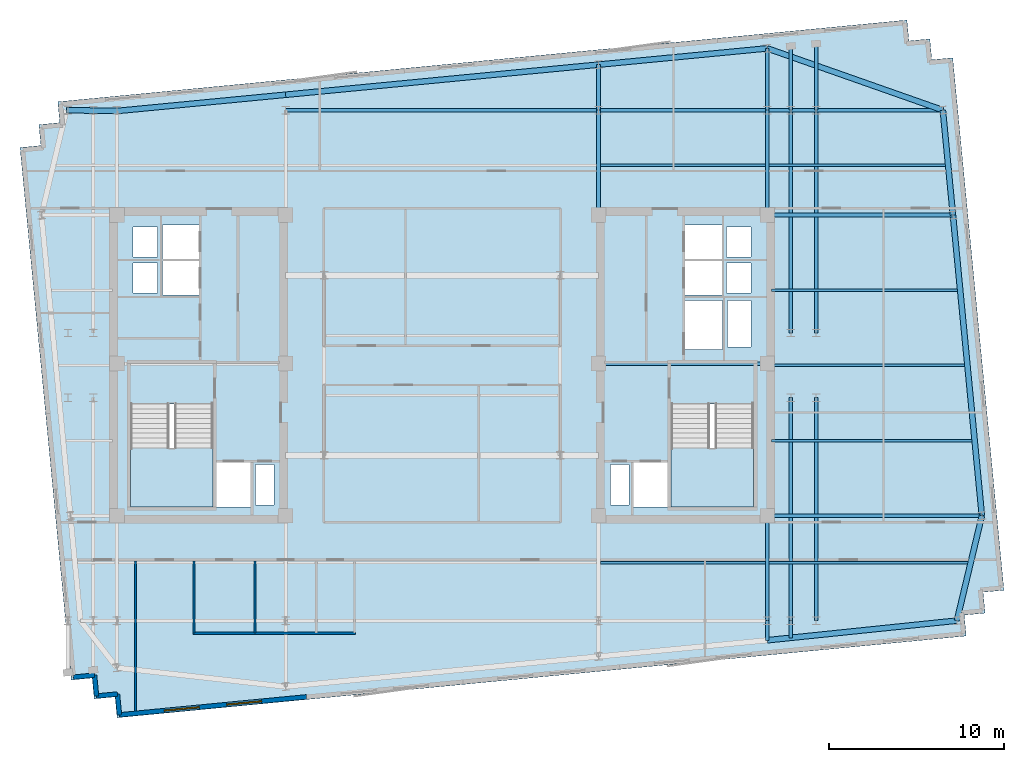
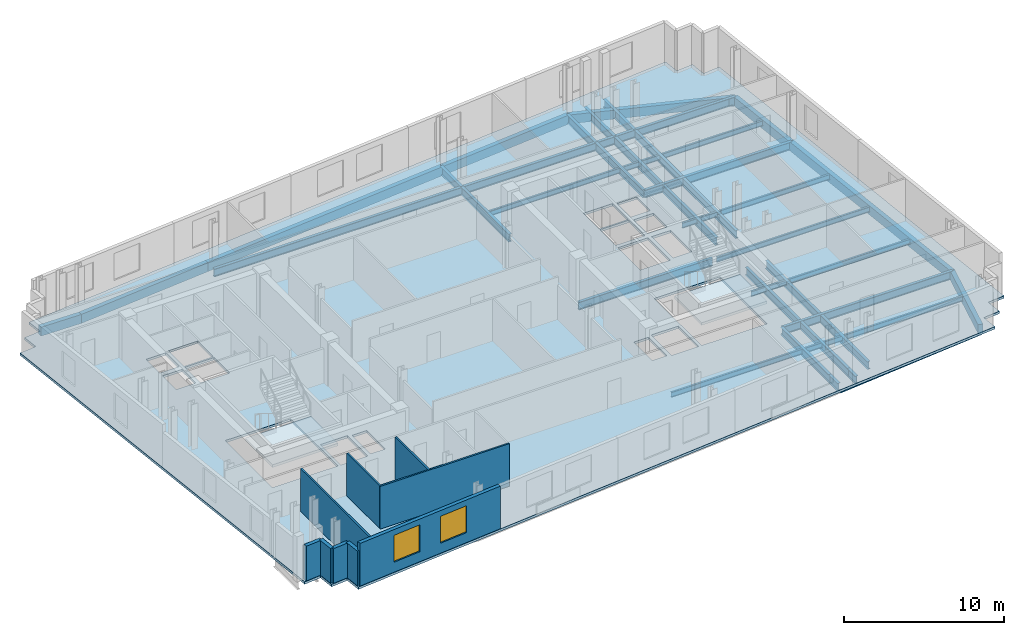
# One storey, part 2 of 8: 35 beams, 9 walls, 3 slabs, 2 windows, 2 openings, 2 elements without a shape of their own.
"""IFC4 building model written with IfcOpenShell, lengths in metres."""

from ifc_helpers import new_model, si_unit, direction, frame, frame_2d, origin, origin_2d, place, context, subcontext, project, spatial, polyline, rectangle, i_section, outline, extrude, material, layer, layer_set, material_profile, profile_set, type_object, element, fill, aggregate, save


model = new_model("IFC4")

# Units and contexts
model_context = context("Model", 3, precision=1e-05, world=origin(), true_north=direction((0.0, 1.0)))
body_context = subcontext(model_context, "Body", "Model", "MODEL_VIEW")
ifc_project = project(units=[si_unit("LENGTHUNIT", "METRE"), si_unit("AREAUNIT", "SQUARE_METRE"), si_unit("VOLUMEUNIT", "CUBIC_METRE"), si_unit("PLANEANGLEUNIT", "RADIAN"), si_unit("MASSUNIT", "GRAM", prefix="KILO")], contexts=[model_context])

# Site, building, storey
site_placement = place(None, origin())
site = spatial("IfcSite", under=ifc_project, at=site_placement, CompositionType="ELEMENT")
building_placement = place(site_placement, origin())
building = spatial("IfcBuilding", under=site, at=building_placement, Name="Velakula Bourse", CompositionType="ELEMENT")
storey_placement = place(building_placement, frame((0.0, 0.0, 258.60009765625)))
storey = spatial("IfcBuildingStorey", under=building, at=storey_placement, Name="L70", CompositionType="ELEMENT", Elevation=258.60009765625)

# Beams
ifc_material_1 = material(Name="Steel IS 2062 Grade 350 (E350)", Category="steel")
ifc_material_profile_1 = material_profile(ifc_material_1, i_section(OverallWidth=0.2099609375, OverallDepth=0.60009765625, WebThickness=0.011962890625, FlangeThickness=0.020751953125, at=origin_2d()), Name="Steel IS 2062 Grade 350 (E350)")
ifc_profile_set_1 = profile_set([ifc_material_profile_1], Name="Steel IS 2062 Grade 350 (E350)")
beam_type_1 = type_object("IfcBeamType", Name="BM-GRD-600L", PredefinedType="BEAM", material=ifc_profile_set_1)
beam_1_placement = place(storey_placement, frame((8.949951171875, 0.10009765625, -0.47998046875), z_axis=(1.0, 0.0, 0.0), x_axis=(0.0, 1.0, 0.0)))
element("IfcBeam", 1, at=beam_1_placement, inside=storey, type_object=beam_type_1, Name="L70 Primary Backbone Girder CRE-M", PredefinedType="BEAM", context=body_context, shape_type="SweptSolid", body=[
    extrude(i_section(OverallWidth=0.2099609375, OverallDepth=0.60009765625, WebThickness=0.011962890625, FlangeThickness=0.020751953125, at=origin_2d()), origin(), (0.0, 0.0, 1.0), 9.650146484375),
])
for number, where, z_axis, x_axis, name in (
    (2, (8.949951171875, 8.60009765625, -0.47998046875), (0.0, 1.0, 0.0), (-1.0, 0.0, 0.0), "L70 Fulcrum Grid Girder FLC-ECN"),
    (3, (18.60009765625, -14.60009765625, -0.47998046875), (0.0, 1.0, 0.0), (-1.0, 0.0, 0.0), "L70 Fulcrum Grid Girder FLC-ES"),
    (4, (18.60009765625, 8.60009765625, -0.47998046875), (0.0, 1.0, 0.0), (-1.0, 0.0, 0.0), "L70 Fulcrum Grid Girder FLC-EN"),
):
    element("IfcBeam", number, at=place(storey_placement, frame(where, z_axis=z_axis, x_axis=x_axis)), inside=storey, type_object=beam_type_1, Name=name, PredefinedType="BEAM", context=body_context, shape_type="SweptSolid", body=[
        extrude(i_section(OverallWidth=0.2099609375, OverallDepth=0.60009765625, WebThickness=0.011962890625, FlangeThickness=0.020751953125, at=origin_2d()), origin(), (0.0, 0.0, 1.0), 6.0),
    ])
beam_2_placement = place(storey_placement, frame((-8.949951171875, 14.60009765625, -0.47998046875), z_axis=(1.0, 0.0, 0.0), x_axis=(0.0, 1.0, 0.0)))
element("IfcBeam", 5, at=beam_2_placement, inside=storey, type_object=beam_type_1, Name="L70 Fulcrum Grid Girder FLC-N2", PredefinedType="BEAM", context=body_context, shape_type="SweptSolid", body=[
    extrude(i_section(OverallWidth=0.2099609375, OverallDepth=0.60009765625, WebThickness=0.011962890625, FlangeThickness=0.020751953125, at=origin_2d()), origin(), (0.0, 0.0, 1.0), 17.89990234375),
])
beam_3_placement = place(storey_placement, frame((8.949951171875, 14.60009765625, -0.47998046875), z_axis=(1.0, 0.0, 0.0), x_axis=(0.0, 1.0, 0.0)))
element("IfcBeam", 6, at=beam_3_placement, inside=storey, type_object=beam_type_1, Name="L70 Fulcrum Grid Girder FLC-N3", PredefinedType="BEAM", context=body_context, shape_type="SweptSolid", body=[
    extrude(i_section(OverallWidth=0.2099609375, OverallDepth=0.60009765625, WebThickness=0.011962890625, FlangeThickness=0.020751953125, at=origin_2d()), origin(), (0.0, 0.0, 1.0), 9.650146484375),
])
for number, where, z_axis, x_axis, name in (
    (7, (19.949951171875, -14.60009765625, -0.47998046875), (0.0, 1.0, 0.0), (-1.0, 0.0, 0.0), "L70 Fulcrum Grid Girder FLC-PSE1"),
    (8, (19.949951171875, 1.85009765625, -0.47998046875), (0.0, 1.0, 0.0), (-1.0, 0.0, 0.0), "L70 Fulcrum Grid Girder FLC-PNE1"),
    (9, (21.39990234375, -14.60009765625, -0.47998046875), (0.0, 1.0, 0.0), (-1.0, 0.0, 0.0), "L70 Fulcrum Grid Girder FLC-PSE2"),
    (10, (21.39990234375, 1.85009765625, -0.47998046875), (0.0, 1.0, 0.0), (-1.0, 0.0, 0.0), "L70 Fulcrum Grid Girder FLC-PNE2"),
):
    element("IfcBeam", number, at=place(storey_placement, frame(where, z_axis=z_axis, x_axis=x_axis)), inside=storey, type_object=beam_type_1, Name=name, PredefinedType="BEAM", context=body_context, shape_type="SweptSolid", body=[
        extrude(i_section(OverallWidth=0.2099609375, OverallDepth=0.60009765625, WebThickness=0.011962890625, FlangeThickness=0.020751953125, at=origin_2d()), origin(), (0.0, 0.0, 1.0), 12.75),
    ])
beam_4_placement = place(storey_placement, frame((18.60009765625, -14.60009765625, -0.47998046875), z_axis=(0.0, -1.0, 0.0), x_axis=(1.0, 0.0, 0.0)))
element("IfcBeam", 11, at=beam_4_placement, inside=storey, type_object=beam_type_1, Name="L70 Perimeter Tie Girder S4", PredefinedType="BEAM", context=body_context, shape_type="SweptSolid", body=[
    extrude(i_section(OverallWidth=0.2099609375, OverallDepth=0.60009765625, WebThickness=0.011962890625, FlangeThickness=0.020751953125, at=origin_2d()), origin(), (0.0, 0.0, 1.0), 1.1220703125),
])
beam_5_placement = place(storey_placement, frame((8.949951171875, 14.60009765625, -0.47998046875), z_axis=(0.0, 1.0, 0.0), x_axis=(-1.0, 0.0, 0.0)))
element("IfcBeam", 12, at=beam_5_placement, inside=storey, type_object=beam_type_1, Name="L70 Perimeter Tie Girder N3", PredefinedType="BEAM", context=body_context, shape_type="SweptSolid", body=[
    extrude(i_section(OverallWidth=0.2099609375, OverallDepth=0.60009765625, WebThickness=0.011962890625, FlangeThickness=0.020751953125, at=origin_2d()), origin(), (0.0, 0.0, 1.0), 2.6044921875),
])
beam_6_placement = place(storey_placement, frame((18.60009765625, 14.60009765625, -0.47998046875), z_axis=(0.0, 1.0, 0.0), x_axis=(-1.0, 0.0, 0.0)))
element("IfcBeam", 13, at=beam_6_placement, inside=storey, type_object=beam_type_1, Name="L70 Perimeter Tie Girder N4", PredefinedType="BEAM", context=body_context, shape_type="SweptSolid", body=[
    extrude(i_section(OverallWidth=0.2099609375, OverallDepth=0.60009765625, WebThickness=0.011962890625, FlangeThickness=0.020751953125, at=origin_2d()), origin(), (0.0, 0.0, 1.0), 3.53369140625),
])
beam_7_placement = place(storey_placement, frame((18.60009765625, -8.60009765625, -0.47998046875), z_axis=(1.0, 0.0, 0.0), x_axis=(0.0, 1.0, 0.0)))
element("IfcBeam", 14, at=beam_7_placement, inside=storey, type_object=beam_type_1, Name="L70 Perimeter Tie Girder E2", PredefinedType="BEAM", context=body_context, shape_type="SweptSolid", body=[
    extrude(i_section(OverallWidth=0.2099609375, OverallDepth=0.60009765625, WebThickness=0.011962890625, FlangeThickness=0.020751953125, at=origin_2d()), origin(), (0.0, 0.0, 1.0), 12.27880859375),
])
beam_8_placement = place(storey_placement, frame((18.60009765625, 8.60009765625, -0.47998046875), z_axis=(1.0, 0.0, 0.0), x_axis=(0.0, 1.0, 0.0)))
element("IfcBeam", 15, at=beam_8_placement, inside=storey, type_object=beam_type_1, Name="L70 Perimeter Tie Girder E3", PredefinedType="BEAM", context=body_context, shape_type="SweptSolid", body=[
    extrude(i_section(OverallWidth=0.2099609375, OverallDepth=0.60009765625, WebThickness=0.011962890625, FlangeThickness=0.020751953125, at=origin_2d()), origin(), (0.0, 0.0, 1.0), 10.62255859375),
])
beam_9_placement = place(storey_placement, frame((18.60009765625, 14.60009765625, -0.47998046875), z_axis=(1.0, 0.0, 0.0), x_axis=(0.0, 1.0, 0.0)))
element("IfcBeam", 16, at=beam_9_placement, inside=storey, type_object=beam_type_1, Name="L70 Perimeter Tie Girder E4", PredefinedType="BEAM", context=body_context, shape_type="SweptSolid", body=[
    extrude(i_section(OverallWidth=0.2099609375, OverallDepth=0.60009765625, WebThickness=0.011962890625, FlangeThickness=0.020751953125, at=origin_2d()), origin(), (0.0, 0.0, 1.0), 10.044921875),
])
beam_10_placement = place(storey_placement, frame((19.949951171875, -14.60009765625, -0.47998046875), z_axis=(0.0, -1.0, 0.0), x_axis=(1.0, 0.0, 0.0)))
element("IfcBeam", 17, at=beam_10_placement, inside=storey, type_object=beam_type_1, Name="L70 Perimeter Tie Girder P03", PredefinedType="BEAM", context=body_context, shape_type="SweptSolid", body=[
    extrude(i_section(OverallWidth=0.2099609375, OverallDepth=0.60009765625, WebThickness=0.011962890625, FlangeThickness=0.020751953125, at=origin_2d()), origin(), (0.0, 0.0, 1.0), 0.991943359375),
])
beam_11_placement = place(storey_placement, frame((19.949951171875, 14.60009765625, -0.47998046875), z_axis=(0.0, 1.0, 0.0), x_axis=(-1.0, 0.0, 0.0)))
element("IfcBeam", 18, at=beam_11_placement, inside=storey, type_object=beam_type_1, Name="L70 Perimeter Tie Girder P07", PredefinedType="BEAM", context=body_context, shape_type="SweptSolid", body=[
    extrude(i_section(OverallWidth=0.2099609375, OverallDepth=0.60009765625, WebThickness=0.011962890625, FlangeThickness=0.020751953125, at=origin_2d()), origin(), (0.0, 0.0, 1.0), 3.66357421875),
])
beam_12_placement = place(storey_placement, frame((21.39990234375, 14.60009765625, -0.47998046875), z_axis=(0.0, 1.0, 0.0), x_axis=(-1.0, 0.0, 0.0)))
element("IfcBeam", 19, at=beam_12_placement, inside=storey, type_object=beam_type_1, Name="L70 Perimeter Tie Girder P08", PredefinedType="BEAM", context=body_context, shape_type="SweptSolid", body=[
    extrude(i_section(OverallWidth=0.2099609375, OverallDepth=0.60009765625, WebThickness=0.011962890625, FlangeThickness=0.020751953125, at=origin_2d()), origin(), (0.0, 0.0, 1.0), 3.80322265625),
])
ifc_material_profile_2 = material_profile(ifc_material_1, i_section(OverallWidth=0.139892578125, OverallDepth=0.39990234375, WebThickness=0.0087890625, FlangeThickness=0.01611328125, at=origin_2d()), Name="Steel IS 2062 Grade 350 (E350)")
ifc_profile_set_2 = profile_set([ifc_material_profile_2], Name="Steel IS 2062 Grade 350 (E350)")
beam_type_2 = type_object("IfcBeamType", Name="JST-TWR-400", PredefinedType="JOIST", material=ifc_profile_set_2)
beam_13_placement = place(storey_placement, frame((9.054931640625, -11.300048828125, -0.380126953125), z_axis=(1.0, 0.0, 0.0), x_axis=(0.0, 1.0, 0.0)))
element("IfcBeam", 20, at=beam_13_placement, inside=storey, type_object=beam_type_2, Name="L70 Trading Floor Composite Joist 06", PredefinedType="JOIST", context=body_context, shape_type="SweptSolid", body=[
    extrude(i_section(OverallWidth=0.139892578125, OverallDepth=0.39990234375, WebThickness=0.0087890625, FlangeThickness=0.01611328125, at=origin_2d()), origin(), (0.0, 0.0, 1.0), 9.440185546875),
])
beam_14_placement = place(storey_placement, frame((18.705078125, -11.300048828125, -0.380126953125), z_axis=(1.0, 0.0, 0.0), x_axis=(0.0, 1.0, 0.0)))
element("IfcBeam", 21, at=beam_14_placement, inside=storey, type_object=beam_type_2, Name="L70 Trading Floor Composite Joist 07", PredefinedType="JOIST", context=body_context, shape_type="SweptSolid", body=[
    extrude(i_section(OverallWidth=0.139892578125, OverallDepth=0.39990234375, WebThickness=0.0087890625, FlangeThickness=0.01611328125, at=origin_2d()), origin(), (0.0, 0.0, 1.0), 11.364990234375),
])
beam_15_placement = place(storey_placement, frame((9.054931640625, 11.449951171875, -0.380126953125), z_axis=(1.0, 0.0, 0.0), x_axis=(0.0, 1.0, 0.0)))
element("IfcBeam", 22, at=beam_15_placement, inside=storey, type_object=beam_type_2, Name="L70 Trading Floor Composite Joist 11", PredefinedType="JOIST", context=body_context, shape_type="SweptSolid", body=[
    extrude(i_section(OverallWidth=0.139892578125, OverallDepth=0.39990234375, WebThickness=0.0087890625, FlangeThickness=0.01611328125, at=origin_2d()), origin(), (0.0, 0.0, 1.0), 9.440185546875),
])
beam_16_placement = place(storey_placement, frame((18.705078125, 11.449951171875, -0.380126953125), z_axis=(1.0, 0.0, 0.0), x_axis=(0.0, 1.0, 0.0)))
element("IfcBeam", 23, at=beam_16_placement, inside=storey, type_object=beam_type_2, Name="L70 Trading Floor Composite Joist 12", PredefinedType="JOIST", context=body_context, shape_type="SweptSolid", body=[
    extrude(i_section(OverallWidth=0.139892578125, OverallDepth=0.39990234375, WebThickness=0.0087890625, FlangeThickness=0.01611328125, at=origin_2d()), origin(), (0.0, 0.0, 1.0), 10.08251953125),
])
beam_17_placement = place(storey_placement, frame((18.85009765625, -4.300048828125, -0.380126953125), z_axis=(1.0, 0.0, 0.0), x_axis=(0.0, 1.0, 0.0)))
element("IfcBeam", 24, at=beam_17_placement, inside=storey, type_object=beam_type_2, Name="L70 Trading Floor Composite Joist 17", PredefinedType="JOIST", context=body_context, shape_type="SweptSolid", body=[
    extrude(i_section(OverallWidth=0.139892578125, OverallDepth=0.39990234375, WebThickness=0.0087890625, FlangeThickness=0.01611328125, at=origin_2d()), origin(), (0.0, 0.0, 1.0), 11.453857421875),
])
beam_18_placement = place(storey_placement, frame((18.85009765625, 0.0, -0.380126953125), z_axis=(1.0, 0.0, 0.0), x_axis=(0.0, 1.0, 0.0)))
element("IfcBeam", 25, at=beam_18_placement, inside=storey, type_object=beam_type_2, Name="L70 Trading Floor Composite Joist 19", PredefinedType="JOIST", context=body_context, shape_type="SweptSolid", body=[
    extrude(i_section(OverallWidth=0.139892578125, OverallDepth=0.39990234375, WebThickness=0.0087890625, FlangeThickness=0.01611328125, at=origin_2d()), origin(), (0.0, 0.0, 1.0), 11.039794921875),
])
beam_19_placement = place(storey_placement, frame((18.85009765625, 4.300048828125, -0.380126953125), z_axis=(1.0, 0.0, 0.0), x_axis=(0.0, 1.0, 0.0)))
element("IfcBeam", 26, at=beam_19_placement, inside=storey, type_object=beam_type_2, Name="L70 Trading Floor Composite Joist 21", PredefinedType="JOIST", context=body_context, shape_type="SweptSolid", body=[
    extrude(i_section(OverallWidth=0.139892578125, OverallDepth=0.39990234375, WebThickness=0.0087890625, FlangeThickness=0.01611328125, at=origin_2d()), origin(), (0.0, 0.0, 1.0), 10.6259765625),
])
ifc_material_2 = material(Name="Precast concrete M45 (fck 45 MPa)", Category="concrete")
ifc_material_profile_3 = material_profile(ifc_material_2, rectangle(XDim=0.320068359375, YDim=0.679931640625, at=origin_2d()), Name="Precast concrete M45 (fck 45 MPa)")
ifc_profile_set_3 = profile_set([ifc_material_profile_3], Name="Precast concrete M45 (fck 45 MPa)")
beam_type_3 = type_object("IfcBeamType", Name="SPN-BRICK-680", PredefinedType="SPANDREL", material=ifc_profile_set_3)
beam_20_placement = place(storey_placement, frame((-18.60009765625, 14.5517578125, -0.52001953125), z_axis=(0.99539623971, 0.095845323155, 0.0), x_axis=(-0.095845323155, 0.99539623971, 0.0)))
element("IfcBeam", 27, at=beam_20_placement, inside=storey, type_object=beam_type_3, Name="L70 Brick-Faced Precast Spandrel N1-N2", PredefinedType="SPANDREL", context=body_context, shape_type="SweptSolid", body=[
    extrude(rectangle(XDim=0.320068359375, YDim=0.679931640625, at=origin_2d()), origin(), (0.0, 0.0, 1.0), 9.69482421875),
])
beam_21_placement = place(storey_placement, frame((-8.949951171875, 15.48095703125, -0.52001953125), z_axis=(0.995395836254, 0.095849513134, 0.0), x_axis=(-0.095849513134, 0.995395836254, 0.0)))
element("IfcBeam", 28, at=beam_21_placement, inside=storey, type_object=beam_type_3, Name="L70 Brick-Faced Precast Spandrel N2-N3", PredefinedType="SPANDREL", context=body_context, shape_type="SweptSolid", body=[
    extrude(rectangle(XDim=0.320068359375, YDim=0.679931640625, at=origin_2d()), origin(), (0.0, 0.0, 1.0), 17.982666015625),
])
beam_22_placement = place(storey_placement, frame((8.949951171875, 17.20458984375, -0.52001953125), z_axis=(0.99539623971, 0.095845323155, 0.0), x_axis=(-0.095845323155, 0.99539623971, 0.0)))
element("IfcBeam", 29, at=beam_22_placement, inside=storey, type_object=beam_type_3, Name="L70 Brick-Faced Precast Spandrel N3-N4", PredefinedType="SPANDREL", context=body_context, shape_type="SweptSolid", body=[
    extrude(rectangle(XDim=0.320068359375, YDim=0.679931640625, at=origin_2d()), origin(), (0.0, 0.0, 1.0), 9.69482421875),
])
beam_23_placement = place(storey_placement, frame((29.447265625, -14.60009765625, -0.52001953125), z_axis=(0.232091371601, 0.972693988482, 0.0), x_axis=(-0.972693988482, 0.232091371601, 0.0)))
element("IfcBeam", 30, at=beam_23_placement, inside=storey, type_object=beam_type_3, Name="L70 Brick-Faced Precast Spandrel E1-E2", PredefinedType="SPANDREL", context=body_context, shape_type="SweptSolid", body=[
    extrude(rectangle(XDim=0.320068359375, YDim=0.679931640625, at=origin_2d()), origin(), (0.0, 0.0, 1.0), 6.16845703125),
])
beam_24_placement = place(storey_placement, frame((30.87890625, -8.60009765625, -0.52001953125), z_axis=(-0.095849167925, 0.995395869495, 0.0), x_axis=(-0.995395869495, -0.095849167925, 0.0)))
element("IfcBeam", 31, at=beam_24_placement, inside=storey, type_object=beam_type_3, Name="L70 Brick-Faced Precast Spandrel E2-E3", PredefinedType="SPANDREL", context=body_context, shape_type="SweptSolid", body=[
    extrude(rectangle(XDim=0.320068359375, YDim=0.679931640625, at=origin_2d()), origin(), (0.0, 0.0, 1.0), 17.27978515625),
])
beam_25_placement = place(storey_placement, frame((29.22265625, 8.60009765625, -0.52001953125), z_axis=(-0.095829714309, 0.995397742541, 0.0), x_axis=(-0.995397742541, -0.095829714309, 0.0)))
element("IfcBeam", 32, at=beam_25_placement, inside=storey, type_object=beam_type_3, Name="L70 Brick-Faced Precast Spandrel E3-E4", PredefinedType="SPANDREL", context=body_context, shape_type="SweptSolid", body=[
    extrude(rectangle(XDim=0.320068359375, YDim=0.679931640625, at=origin_2d()), origin(), (0.0, 0.0, 1.0), 6.02783203125),
])
beam_26_placement = place(storey_placement, frame((18.60009765625, -15.72216796875, -0.52001953125), z_axis=(0.994692267912, 0.102894568159, 0.0), x_axis=(-0.102894568159, 0.994692267912, 0.0)))
element("IfcBeam", 33, at=beam_26_placement, inside=storey, type_object=beam_type_3, Name="L70 Brick-Faced Precast Spandrel S4-E1", PredefinedType="SPANDREL", context=body_context, shape_type="SweptSolid", body=[
    extrude(rectangle(XDim=0.320068359375, YDim=0.679931640625, at=origin_2d()), origin(), (0.0, 0.0, 1.0), 10.905029296875),
])
beam_27_placement = place(storey_placement, frame((28.64501953125, 14.60009765625, -0.52001953125), z_axis=(-0.943331000058, 0.331853317491, 0.0), x_axis=(-0.331853317491, -0.943331000058, 0.0)))
element("IfcBeam", 34, at=beam_27_placement, inside=storey, type_object=beam_type_3, Name="L70 Brick-Faced Precast Spandrel E4-N4", PredefinedType="SPANDREL", context=body_context, shape_type="SweptSolid", body=[
    extrude(rectangle(XDim=0.320068359375, YDim=0.679931640625, at=origin_2d()), origin(), (0.0, 0.0, 1.0), 10.6484375),
])
beam_28_placement = place(storey_placement, frame((-18.60009765625, 14.5517578125, -0.52001953125), z_axis=(-0.999859727013, 0.016748919285, 0.0), x_axis=(-0.016748919285, -0.999859727013, 0.0)))
element("IfcBeam", 35, at=beam_28_placement, inside=storey, type_object=beam_type_3, Name="L70 Brick-Faced Precast Spandrel N1-W4", PredefinedType="SPANDREL", context=body_context, shape_type="SweptSolid", body=[
    extrude(rectangle(XDim=0.320068359375, YDim=0.679931640625, at=origin_2d()), origin(), (0.0, 0.0, 1.0), 2.88623046875),
])

# Stair, slab
ifc_material_3 = material(Name="Concrete M45 (fck 45 MPa)", Category="concrete")
stair_type = type_object("IfcStairType", Name="STR-DOG-390", PredefinedType="HALF_TURN_STAIR", material=ifc_material_3)
stair_1_placement = place(storey_placement, origin())
stair_1 = element("IfcStair", 36, at=stair_1_placement, inside=storey, type_object=stair_type, Name="L70 West Core Exit Stair ST-W1", PredefinedType="HALF_TURN_STAIR")
ifc_layer_1 = layer(ifc_material_3, 0.199951171875, Name="Concrete M45 (fck 45 MPa)", Category="concrete")
ifc_layer_set_1 = layer_set([ifc_layer_1], Name="Concrete M45 (fck 45 MPa)")
slab_type_1 = type_object("IfcSlabType", Name="SLB-STAIR-LND-200", PredefinedType="LANDING", material=ifc_layer_set_1)
slab_1_placement = place(storey_placement, frame((0.0, 0.0, 1.52490234375)))
slab_1 = element("IfcSlab", 37, at=slab_1_placement, type_object=slab_type_1, Name="ST-W1 landing 1", PredefinedType="LANDING", context=body_context, shape_type="SweptSolid", body=[
    extrude(outline(polyline([(-17.820068359375, -4.719970703125), (-17.820068359375, -8.10009765625), (-13.10009765625, -8.10009765625), (-13.10009765625, -4.719970703125), (-17.820068359375, -4.719970703125)])), origin(), (0.0, 0.0, 1.0), 0.199951171875),
])
aggregate(stair_1, [slab_1])

stair_2_placement = place(storey_placement, origin())
stair_2 = element("IfcStair", 38, at=stair_2_placement, inside=storey, type_object=stair_type, Name="L70 East Core Exit Stair ST-E1", PredefinedType="HALF_TURN_STAIR")
slab_2_placement = place(storey_placement, frame((0.0, 0.0, 1.52490234375)))
slab_2 = element("IfcSlab", 39, at=slab_2_placement, type_object=slab_type_1, Name="ST-E1 landing 1", PredefinedType="LANDING", context=body_context, shape_type="SweptSolid", body=[
    extrude(outline(polyline([(13.10009765625, -4.719970703125), (13.10009765625, -8.10009765625), (17.820068359375, -8.10009765625), (17.820068359375, -4.719970703125), (13.10009765625, -4.719970703125)])), origin(), (0.0, 0.0, 1.0), 0.199951171875),
])
aggregate(stair_2, [slab_2])

# Slab
ifc_material_4 = material(Name="Concrete M50 (fck 50 MPa)", Category="concrete")
ifc_layer_2 = layer(ifc_material_4, 0.179931640625, Name="Concrete M50 (fck 50 MPa)", Category="concrete")
ifc_layer_set_2 = layer_set([ifc_layer_2], Name="Concrete M50 (fck 50 MPa)")
slab_type_2 = type_object("IfcSlabType", Name="SLB-TWR-180", PredefinedType="FLOOR", material=ifc_layer_set_2)
slab_3_placement = place(storey_placement, frame((0.0, 0.0, -0.18017578125)))
element("IfcSlab", 40, at=slab_3_placement, inside=storey, type_object=slab_type_2, Name="L70 Suspended Structural Floor Slab", PredefinedType="FLOOR", context=body_context, shape_type="SweptSolid", body=[
    extrude(outline(polyline([(-18.59130859375, -20.1572265625), (29.984130859375, -15.47998046875), (29.869140625, -14.285400390625), (31.0634765625, -14.17041015625), (30.948486328125, -12.975830078125), (32.14306640625, -12.86083984375), (29.210205078125, 17.59814453125), (28.015625, 17.483154296875), (27.900634765625, 18.677734375), (26.706298828125, 18.562744140625), (26.59130859375, 19.757080078125), (-21.984130859375, 15.079833984375), (-21.869140625, 13.885498046875), (-23.0634765625, 13.7705078125), (-22.948486328125, 12.575927734375), (-24.14306640625, 12.4609375), (-21.210205078125, -17.998291015625), (-20.015625, -17.88330078125), (-19.900634765625, -19.07763671875), (-18.706298828125, -18.962646484375), (-18.59130859375, -20.1572265625)]), holes=[polyline([(-17.820068359375, -8.10009765625), (-13.10009765625, -8.10009765625), (-13.10009765625, -2.199951171875), (-17.820068359375, -2.199951171875), (-17.820068359375, -8.10009765625)]), polyline([(13.10009765625, -8.10009765625), (17.820068359375, -8.10009765625), (17.820068359375, -2.199951171875), (13.10009765625, -2.199951171875), (13.10009765625, -8.10009765625)]), polyline([(-12.89990234375, -8.10009765625), (-10.949951171875, -8.10009765625), (-10.949951171875, -5.550048828125), (-12.89990234375, -5.550048828125), (-12.89990234375, -8.10009765625)]), polyline([(10.949951171875, -8.10009765625), (12.89990234375, -8.10009765625), (12.89990234375, -5.550048828125), (10.949951171875, -5.550048828125), (10.949951171875, -8.10009765625)]), polyline([(13.89990234375, 0.919921875), (16.050048828125, 0.919921875), (16.050048828125, 3.719970703125), (13.89990234375, 3.719970703125), (13.89990234375, 0.919921875)]), polyline([(-10.679931640625, -7.97998046875), (-9.6201171875, -7.97998046875), (-9.6201171875, -5.669921875), (-10.679931640625, -5.669921875), (-10.679931640625, -7.97998046875)]), polyline([(-17.679931640625, 4.139892578125), (-16.27001953125, 4.139892578125), (-16.27001953125, 5.85009765625), (-17.679931640625, 5.85009765625), (-17.679931640625, 4.139892578125)]), polyline([(-17.679931640625, 6.2099609375), (-16.27001953125, 6.2099609375), (-16.27001953125, 7.919921875), (-17.679931640625, 7.919921875), (-17.679931640625, 6.2099609375)]), polyline([(9.6201171875, -7.97998046875), (10.679931640625, -7.97998046875), (10.679931640625, -5.669921875), (9.6201171875, -5.669921875), (9.6201171875, -7.97998046875)]), polyline([(16.27001953125, 4.139892578125), (17.679931640625, 4.139892578125), (17.679931640625, 5.85009765625), (16.27001953125, 5.85009765625), (16.27001953125, 4.139892578125)]), polyline([(16.27001953125, 6.2099609375), (17.679931640625, 6.2099609375), (17.679931640625, 7.919921875), (16.27001953125, 7.919921875), (16.27001953125, 6.2099609375)]), polyline([(16.320068359375, 1.0400390625), (17.679931640625, 1.0400390625), (17.679931640625, 3.699951171875), (16.320068359375, 3.699951171875), (16.320068359375, 1.0400390625)]), polyline([(-16.0, 4.02001953125), (-13.89990234375, 4.02001953125), (-13.89990234375, 5.969970703125), (-16.0, 5.969970703125), (-16.0, 4.02001953125)]), polyline([(-16.0, 6.090087890625), (-13.89990234375, 6.090087890625), (-13.89990234375, 8.0400390625), (-16.0, 8.0400390625), (-16.0, 6.090087890625)]), polyline([(13.89990234375, 4.02001953125), (16.0, 4.02001953125), (16.0, 5.969970703125), (13.89990234375, 5.969970703125), (13.89990234375, 4.02001953125)]), polyline([(13.89990234375, 6.090087890625), (16.0, 6.090087890625), (16.0, 8.0400390625), (13.89990234375, 8.0400390625), (13.89990234375, 6.090087890625)])]), origin(), (0.0, 0.0, 1.0), 0.18017578125),
])

# Wall, openings, windows
ifc_material_5 = material(Name="Buff kilned clay facing brick masonry", Category="masonry")
ifc_layer_3 = layer(ifc_material_5, 0.260009765625, Name="Buff kilned clay facing brick masonry", Category="masonry")
ifc_layer_set_3 = layer_set([ifc_layer_3], Name="Buff kilned clay facing brick masonry")
wall_type_1 = type_object("IfcWallType", Name="WL-EXT-BRK-260", PredefinedType="STANDARD", material=ifc_layer_set_3)
wall_1_placement = place(storey_placement, frame((-7.755859375, -18.963134765625, 0.0), z_axis=(0.0, 0.0, 1.0), x_axis=(-0.995396745868, -0.095840066339, 0.0)))
wall_1 = element("IfcWall", 41, at=wall_1_placement, inside=storey, type_object=wall_type_1, Name="L70 S Brick Spandrel Wall B1", PredefinedType="STANDARD", context=body_context, shape_type="SweptSolid", body=[
    extrude(rectangle(XDim=10.75, YDim=0.260009765625, at=frame_2d((5.375, 0.0))), origin(), (0.0, 0.0, 1.0), 3.25),
])
opening_1_placement = place(wall_1_placement, frame((2.583251953125, 0.0, 0.760009765625)))
opening_1 = element("IfcOpeningElement", 42, at=opening_1_placement, cuts=wall_1, Name="Opening W-05", PredefinedType="OPENING", context=body_context, shape_type="SweptSolid", body=[
    extrude(rectangle(XDim=2.0, YDim=2.050048828125, at=frame_2d((1.0, 1.02490234375))), frame((0.0, 0.139892578125, 0.0), z_axis=(0.0, -1.0, 0.0), x_axis=(1.0, 0.0, 0.0)), (0.0, 0.0, 1.0), 0.280029296875),
])
opening_2_placement = place(wall_1_placement, frame((6.166748046875, 0.0, 0.760009765625)))
opening_2 = element("IfcOpeningElement", 43, at=opening_2_placement, cuts=wall_1, Name="Opening W-05", PredefinedType="OPENING", context=body_context, shape_type="SweptSolid", body=[
    extrude(rectangle(XDim=2.0, YDim=2.050048828125, at=frame_2d((1.0, 1.02490234375))), frame((0.0, 0.139892578125, 0.0), z_axis=(0.0, -1.0, 0.0), x_axis=(1.0, 0.0, 0.0)), (0.0, 0.0, 1.0), 0.280029296875),
])
ifc_material_6 = material(Name="Double-glazed solar-control Low-E glass", Category="glass")
window_type = type_object("IfcWindowType", Name="WIN-TWR-2000x2200", PartitioningType="DOUBLE_PANEL_VERTICAL", PredefinedType="WINDOW", material=ifc_material_6)
window_1_placement = place(opening_1_placement, origin())
window_1 = element("IfcWindow", 44, at=window_1_placement, inside=storey, type_object=window_type, Name="L70 Deep-Set Recessed Window 1", OverallHeight=2.050048828125, OverallWidth=2.0, PartitioningType="DOUBLE_PANEL_VERTICAL", PredefinedType="WINDOW", context=body_context, shape_type="SweptSolid", body=[
    extrude(rectangle(XDim=2.0, YDim=2.050048828125, at=frame_2d((1.0, 1.02490234375))), frame((0.0, 0.030029296875, 0.0), z_axis=(0.0, -1.0, 0.0), x_axis=(1.0, 0.0, 0.0)), (0.0, 0.0, 1.0), 0.06005859375),
])
fill(opening_1, window_1)
window_2_placement = place(opening_2_placement, origin())
window_2 = element("IfcWindow", 45, at=window_2_placement, inside=storey, type_object=window_type, Name="L70 Deep-Set Recessed Window 2", OverallHeight=2.050048828125, OverallWidth=2.0, PartitioningType="DOUBLE_PANEL_VERTICAL", PredefinedType="WINDOW", context=body_context, shape_type="SweptSolid", body=[
    extrude(rectangle(XDim=2.0, YDim=2.050048828125, at=frame_2d((1.0, 1.02490234375))), frame((0.0, 0.030029296875, 0.0), z_axis=(0.0, -1.0, 0.0), x_axis=(1.0, 0.0, 0.0)), (0.0, 0.0, 1.0), 0.06005859375),
])
fill(opening_2, window_2)

# Walls
wall_2_placement = place(storey_placement, frame((-21.0751953125, -17.83447265625, 0.0), z_axis=(0.0, 0.0, 1.0), x_axis=(0.995397091755, 0.095836473879, 0.0)))
element("IfcWall", 46, at=wall_2_placement, inside=storey, type_object=wall_type_1, Name="L70 Serrated Corner Brick Wall SW-1", PredefinedType="STANDARD", context=body_context, shape_type="SweptSolid", body=[
    extrude(rectangle(XDim=1.199951171875, YDim=0.260009765625, at=frame_2d((0.60009765625, 0.0))), origin(), (0.0, 0.0, 1.0), 2.64501953125),
])
for number, where, z_axis, x_axis, name in (
    (47, (-19.880859375, -17.719482421875, 0.0), (0.0, 0.0, 1.0), (0.095817067274, -0.995398960025, 0.0), "L70 Serrated Corner Brick Wall SW-2"),
    (48, (-19.765869140625, -18.9140625, 0.0), (0.0, 0.0, 1.0), (0.995398960025, 0.095817067274, 0.0), "L70 Serrated Corner Brick Wall SW-3"),
):
    element("IfcWall", number, at=place(storey_placement, frame(where, z_axis=z_axis, x_axis=x_axis)), inside=storey, type_object=wall_type_1, Name=name, PredefinedType="STANDARD", context=body_context, shape_type="SweptSolid", body=[
        extrude(rectangle(XDim=1.2001953125, YDim=0.260009765625, at=frame_2d((0.60009765625, 0.0))), origin(), (0.0, 0.0, 1.0), 2.64501953125),
    ])
wall_3_placement = place(storey_placement, frame((-18.5712890625, -18.799072265625, 0.0), z_axis=(0.0, 0.0, 1.0), x_axis=(0.095836473879, -0.995397091755, 0.0)))
element("IfcWall", 49, at=wall_3_placement, inside=storey, type_object=wall_type_1, Name="L70 Serrated Corner Brick Wall SW-4", PredefinedType="STANDARD", context=body_context, shape_type="SweptSolid", body=[
    extrude(rectangle(XDim=1.199951171875, YDim=0.260009765625, at=frame_2d((0.60009765625, 0.0))), origin(), (0.0, 0.0, 1.0), 2.64501953125),
])
ifc_material_7 = material(Name="Fire-rated double-layer gypsum drywall partition", Category="gypsum")
ifc_layer_4 = layer(ifc_material_7, 0.1201171875, Name="Fire-rated double-layer gypsum drywall partition", Category="gypsum")
ifc_layer_set_4 = layer_set([ifc_layer_4], Name="Fire-rated double-layer gypsum drywall partition")
wall_type_2 = type_object("IfcWallType", Name="WL-PART-120", PredefinedType="STANDARD", material=ifc_layer_set_4)
wall_4_placement = place(storey_placement, frame((-14.260009765625, -15.320068359375, 0.0), z_axis=(0.0, 0.0, 1.0), x_axis=(1.0, 0.0, 0.0)))
element("IfcWall", 50, at=wall_4_placement, inside=storey, type_object=wall_type_2, Name="L70 Interior Partition WL-WC-L70-BACK", PredefinedType="STANDARD", context=body_context, shape_type="SweptSolid", body=[
    extrude(rectangle(XDim=9.320068359375, YDim=0.1201171875, at=frame_2d((4.66015625, 0.0))), origin(), (0.0, 0.0, 1.0), 3.25),
])
for number, where, z_axis, x_axis, name in (
    (51, (-14.199951171875, -15.320068359375, 0.0), (0.0, 0.0, 1.0), (0.0, 1.0, 0.0), "L70 Interior Partition WL-WC-L70-V1"),
    (52, (-10.699951171875, -15.320068359375, 0.0), (0.0, 0.0, 1.0), (0.0, 1.0, 0.0), "L70 Interior Partition WL-WC-L70-V2"),
):
    element("IfcWall", number, at=place(storey_placement, frame(where, z_axis=z_axis, x_axis=x_axis)), inside=storey, type_object=wall_type_2, Name=name, PredefinedType="STANDARD", context=body_context, shape_type="SweptSolid", body=[
        extrude(rectangle(XDim=4.130126953125, YDim=0.1201171875, at=frame_2d((2.06494140625, 0.0))), origin(), (0.0, 0.0, 1.0), 3.25),
    ])
wall_5_placement = place(storey_placement, frame((-17.531982421875, -19.77392578125, 0.0), z_axis=(0.0, 0.0, 1.0), x_axis=(0.0, 1.0, 0.0)))
element("IfcWall", 53, at=wall_5_placement, inside=storey, type_object=wall_type_2, Name="L70 Interior Partition WL-INT-L70-SL-D5", PredefinedType="STANDARD", context=body_context, shape_type="SweptSolid", body=[
    extrude(rectangle(XDim=8.583984375, YDim=0.1201171875, at=frame_2d((4.2919921875, 0.0))), origin(), (0.0, 0.0, 1.0), 3.25),
])

save(model, "model.ifc")
